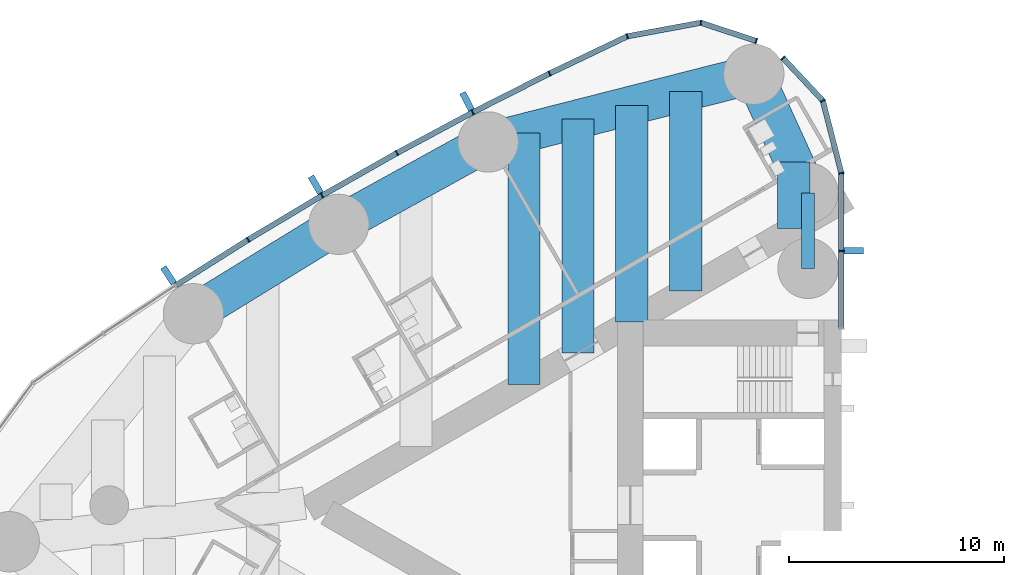
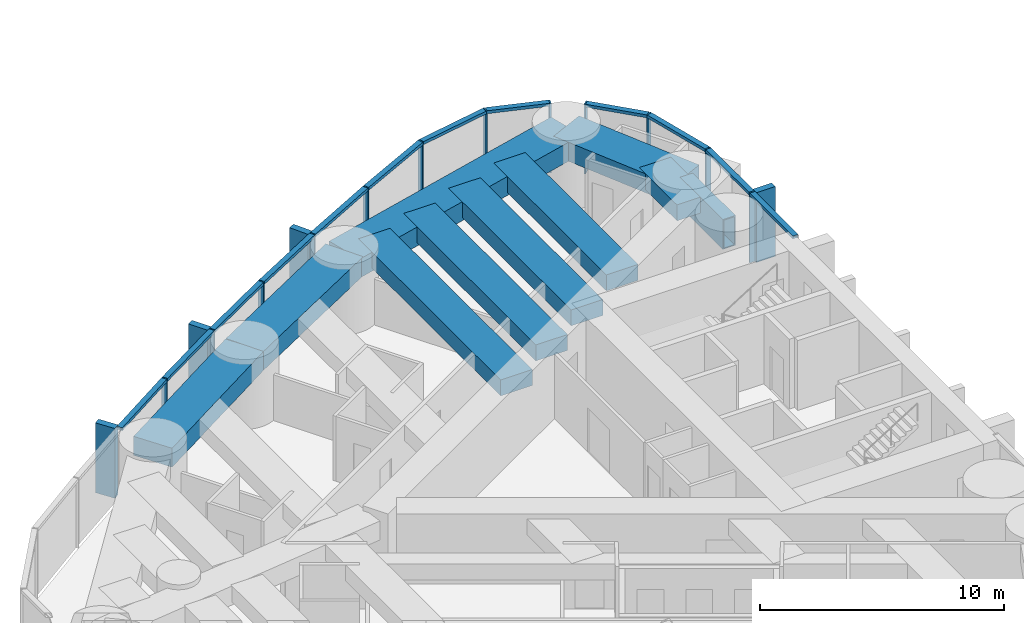
# One storey, part 5 of 19: 28 members, 10 beams, 2 elements without a shape of their own.
"""IFC4 building model written with IfcOpenShell, lengths in metres."""

from ifc_helpers import new_model, si_unit, direction, frame, origin, origin_2d, place, context, subcontext, project, spatial, rectangle, hollow_rectangle, extrude, material, material_profile, profile_set, type_object, element, aggregate, save


model = new_model("IFC4")

# Units and contexts
model_context = context("Model", 3, precision=1e-05, world=origin(), true_north=direction((0.0, 1.0)))
body_context = subcontext(model_context, "Body", "Model", "MODEL_VIEW")
ifc_project = project(units=[si_unit("LENGTHUNIT", "METRE"), si_unit("AREAUNIT", "SQUARE_METRE"), si_unit("VOLUMEUNIT", "CUBIC_METRE"), si_unit("PLANEANGLEUNIT", "RADIAN"), si_unit("MASSUNIT", "GRAM", prefix="KILO")], contexts=[model_context])

# Site, building, storey
site_placement = place(None, origin())
site = spatial("IfcSite", under=ifc_project, at=site_placement, CompositionType="ELEMENT")
building_placement = place(site_placement, origin())
building = spatial("IfcBuilding", under=site, at=building_placement, Name="Lancet Gate Hotel", CompositionType="ELEMENT")
storey_placement = place(building_placement, frame((0.0, 0.0, 177.300048828125)))
storey = spatial("IfcBuildingStorey", under=building, at=storey_placement, Name="L47", CompositionType="ELEMENT", Elevation=177.300048828125)

# Curtain wall, members
ifc_material_1 = material(Name="Aluminium curtain wall", Category="aluminium")
curtain_wall_type = type_object("IfcCurtainWallType", Name="Tower unitised curtain wall", PredefinedType="USERDEFINED", material=ifc_material_1)
curtain_wall_1_placement = place(storey_placement, origin())
curtain_wall_1 = element("IfcCurtainWall", 1, at=curtain_wall_1_placement, inside=storey, type_object=curtain_wall_type, Name="T1 L47 curtain wall 1", ObjectType="UNITISED CURTAIN WALL", PredefinedType="USERDEFINED")
ifc_material_2 = material(Name="Aluminium mullion", Category="aluminium")
ifc_material_profile_1 = material_profile(ifc_material_2, rectangle(XDim=0.06494140625, YDim=0.25, at=origin_2d()), Name="MULLION 65x250")
ifc_profile_set_1 = profile_set([ifc_material_profile_1], Name="Aluminium mullion")
member_type_1 = type_object("IfcMemberType", Name="Aluminium mullion 65x250", PredefinedType="MULLION", material=ifc_profile_set_1)
member_1_placement = place(storey_placement, frame((-27.5, 11.811767578125, 0.0), z_axis=(0.0, 0.0, 1.0), x_axis=(0.0, 1.0, 0.0)))
member_1 = element("IfcMember", 2, at=member_1_placement, type_object=member_type_1, Name="T1 L47 curtain wall 1 mullion 2", PredefinedType="MULLION", context=body_context, shape_type="SweptSolid", body=[
    extrude(rectangle(XDim=0.06494140625, YDim=0.25, at=origin_2d()), origin(), (0.0, 0.0, 1.0), 3.5),
])
member_2_placement = place(storey_placement, frame((-27.5, 15.42333984375, 0.0), z_axis=(0.0, 0.0, 1.0), x_axis=(-0.122467472845, 0.992472527627, 0.0)))
member_2 = element("IfcMember", 3, at=member_2_placement, type_object=member_type_1, Name="T1 L47 curtain wall 1 mullion 3", PredefinedType="MULLION", context=body_context, shape_type="SweptSolid", body=[
    extrude(rectangle(XDim=0.06494140625, YDim=0.25, at=origin_2d()), origin(), (0.0, 0.0, 1.0), 3.5),
])
member_3_placement = place(storey_placement, frame((-28.360595703125, 18.7861328125, 0.0), z_axis=(0.0, 0.0, 1.0), x_axis=(-0.452507601198, 0.891760545695, 0.0)))
member_3 = element("IfcMember", 4, at=member_3_placement, type_object=member_type_1, Name="T1 L47 curtain wall 1 mullion 4", PredefinedType="MULLION", context=body_context, shape_type="SweptSolid", body=[
    extrude(rectangle(XDim=0.06494140625, YDim=0.25, at=origin_2d()), origin(), (0.0, 0.0, 1.0), 3.5),
])
member_4_placement = place(storey_placement, frame((-30.210693359375, 20.765625, 0.0), z_axis=(0.0, 0.0, 1.0), x_axis=(-0.682844962172, 0.730563315282, 0.0)))
member_4 = element("IfcMember", 5, at=member_4_placement, type_object=member_type_1, Name="T1 L47 curtain wall 1 mullion 5", PredefinedType="MULLION", context=body_context, shape_type="SweptSolid", body=[
    extrude(rectangle(XDim=0.06494140625, YDim=0.25, at=origin_2d()), origin(), (0.0, 0.0, 1.0), 3.5),
])

curtain_wall_2_placement = place(storey_placement, origin())
curtain_wall_2 = element("IfcCurtainWall", 6, at=curtain_wall_2_placement, inside=storey, type_object=curtain_wall_type, Name="T1 L47 curtain wall 2", ObjectType="UNITISED CURTAIN WALL", PredefinedType="USERDEFINED")
member_5_placement = place(storey_placement, frame((-31.45263671875, 21.5595703125, 0.0), z_axis=(0.0, 0.0, 1.0), x_axis=(-0.949848055084, 0.312711803827, 0.0)))
member_5 = element("IfcMember", 7, at=member_5_placement, type_object=member_type_1, Name="T1 L47 curtain wall 2 mullion 1", PredefinedType="MULLION", context=body_context, shape_type="SweptSolid", body=[
    extrude(rectangle(XDim=0.06494140625, YDim=0.25, at=origin_2d()), origin(), (0.0, 0.0, 1.0), 3.5),
])
member_6_placement = place(storey_placement, frame((-34.02783203125, 22.407470703125, 0.0), z_axis=(0.0, 0.0, 1.0), x_axis=(-0.999350473622, 0.036036521361, 0.0)))
member_6 = element("IfcMember", 8, at=member_6_placement, type_object=member_type_1, Name="T1 L47 curtain wall 2 mullion 2", PredefinedType="MULLION", context=body_context, shape_type="SweptSolid", body=[
    extrude(rectangle(XDim=0.06494140625, YDim=0.25, at=origin_2d()), origin(), (0.0, 0.0, 1.0), 3.5),
])
member_7_placement = place(storey_placement, frame((-37.44091796875, 21.775634765625, 0.0), z_axis=(0.0, 0.0, 1.0), x_axis=(-0.948119321052, -0.317914694609, 0.0)))
member_7 = element("IfcMember", 9, at=member_7_placement, type_object=member_type_1, Name="T1 L47 curtain wall 2 mullion 3", PredefinedType="MULLION", context=body_context, shape_type="SweptSolid", body=[
    extrude(rectangle(XDim=0.06494140625, YDim=0.25, at=origin_2d()), origin(), (0.0, 0.0, 1.0), 3.5),
])
member_8_placement = place(storey_placement, frame((-41.0498046875, 20.052978515625, 0.0), z_axis=(0.0, 0.0, 1.0), x_axis=(-0.897324392142, -0.441371652088, 0.0)))
member_8 = element("IfcMember", 10, at=member_8_placement, type_object=member_type_1, Name="T1 L47 curtain wall 2 mullion 4", PredefinedType="MULLION", context=body_context, shape_type="SweptSolid", body=[
    extrude(rectangle(XDim=0.06494140625, YDim=0.25, at=origin_2d()), origin(), (0.0, 0.0, 1.0), 3.5),
])
member_9_placement = place(storey_placement, frame((-44.6171875, 18.245849609375, 0.0), z_axis=(0.0, 0.0, 1.0), x_axis=(-0.886694440064, -0.462355891019, 0.0)))
member_9 = element("IfcMember", 11, at=member_9_placement, type_object=member_type_1, Name="T1 L47 curtain wall 2 mullion 5", PredefinedType="MULLION", context=body_context, shape_type="SweptSolid", body=[
    extrude(rectangle(XDim=0.06494140625, YDim=0.25, at=origin_2d()), origin(), (0.0, 0.0, 1.0), 3.5),
])
member_10_placement = place(storey_placement, frame((-48.140869140625, 16.355224609375, 0.0), z_axis=(0.0, 0.0, 1.0), x_axis=(-0.87557384965, -0.483084292654, 0.0)))
member_10 = element("IfcMember", 12, at=member_10_placement, type_object=member_type_1, Name="T1 L47 curtain wall 2 mullion 6", PredefinedType="MULLION", context=body_context, shape_type="SweptSolid", body=[
    extrude(rectangle(XDim=0.06494140625, YDim=0.25, at=origin_2d()), origin(), (0.0, 0.0, 1.0), 3.5),
])
member_11_placement = place(storey_placement, frame((-51.619384765625, 14.38232421875, 0.0), z_axis=(0.0, 0.0, 1.0), x_axis=(-0.863968774311, -0.503545387245, 0.0)))
member_11 = element("IfcMember", 13, at=member_11_placement, type_object=member_type_1, Name="T1 L47 curtain wall 2 mullion 7", PredefinedType="MULLION", context=body_context, shape_type="SweptSolid", body=[
    extrude(rectangle(XDim=0.06494140625, YDim=0.25, at=origin_2d()), origin(), (0.0, 0.0, 1.0), 3.5),
])
member_12_placement = place(storey_placement, frame((-55.05029296875, 12.328369140625, 0.0), z_axis=(0.0, 0.0, 1.0), x_axis=(-0.851885635531, -0.52372785297, 0.0)))
member_12 = element("IfcMember", 14, at=member_12_placement, type_object=member_type_1, Name="T1 L47 curtain wall 2 mullion 8", PredefinedType="MULLION", context=body_context, shape_type="SweptSolid", body=[
    extrude(rectangle(XDim=0.06494140625, YDim=0.25, at=origin_2d()), origin(), (0.0, 0.0, 1.0), 3.5),
])

# Member
ifc_material_3 = material(Name="Aluminium transom", Category="aluminium")
ifc_material_profile_2 = material_profile(ifc_material_3, rectangle(XDim=0.25, YDim=0.14990234375, at=origin_2d()), Name="TRANSOM 250x150")
ifc_profile_set_2 = profile_set([ifc_material_profile_2], Name="Aluminium transom")
member_type_2 = type_object("IfcMemberType", Name="Aluminium transom 250x150", PredefinedType="USERDEFINED", material=ifc_profile_set_2)
member_13_placement = place(storey_placement, frame((-27.5, 8.232421875, 3.425048828125), z_axis=(0.0, 1.0, 0.0), x_axis=(-1.0, 0.0, 0.0)))
member_13 = element("IfcMember", 15, at=member_13_placement, type_object=member_type_2, Name="T1 L47 curtain wall 1 transom 1", ObjectType="TRANSOM", PredefinedType="USERDEFINED", context=body_context, shape_type="SweptSolid", body=[
    extrude(rectangle(XDim=0.25, YDim=0.14990234375, at=origin_2d()), origin(), (0.0, 0.0, 1.0), 3.546875),
])

member_14_placement = place(storey_placement, frame((-27.5, 11.84423828125, 3.425048828125), z_axis=(0.0, 1.0, 0.0), x_axis=(-1.0, 0.0, 0.0)))
member_14 = element("IfcMember", 16, at=member_14_placement, type_object=member_type_2, Name="T1 L47 curtain wall 1 transom 2", ObjectType="TRANSOM", PredefinedType="USERDEFINED", context=body_context, shape_type="SweptSolid", body=[
    extrude(rectangle(XDim=0.25, YDim=0.14990234375, at=origin_2d()), origin(), (0.0, 0.0, 1.0), 3.546630859375),
])

member_15_placement = place(storey_placement, frame((-27.508056640625, 15.454833984375, 3.425048828125), z_axis=(-0.247928683912, 0.968778286139, 0.0), x_axis=(-0.968778286139, -0.247928683912, 0.0)))
member_15 = element("IfcMember", 17, at=member_15_placement, type_object=member_type_2, Name="T1 L47 curtain wall 1 transom 3", ObjectType="TRANSOM", PredefinedType="USERDEFINED", context=body_context, shape_type="SweptSolid", body=[
    extrude(rectangle(XDim=0.25, YDim=0.14990234375, at=origin_2d()), origin(), (0.0, 0.0, 1.0), 3.40625),
])

member_16_placement = place(storey_placement, frame((-28.3828125, 18.809814453125, 3.425048828125), z_axis=(-0.682841037959, 0.730566983157, 0.0), x_axis=(-0.730566983157, -0.682841037959, 0.0)))
member_16 = element("IfcMember", 18, at=member_16_placement, type_object=member_type_2, Name="T1 L47 curtain wall 1 transom 4", ObjectType="TRANSOM", PredefinedType="USERDEFINED", context=body_context, shape_type="SweptSolid", body=[
    extrude(rectangle(XDim=0.25, YDim=0.14990234375, at=origin_2d()), origin(), (0.0, 0.0, 1.0), 2.644775390625),
])

member_17_placement = place(storey_placement, frame((-31.483642578125, 21.56982421875, 3.425048828125), z_axis=(-0.949857661259, 0.312682623993, 0.0), x_axis=(-0.312682623993, -0.949857661259, 0.0)))
member_17 = element("IfcMember", 19, at=member_17_placement, type_object=member_type_2, Name="T1 L47 curtain wall 2 transom 1", ObjectType="TRANSOM", PredefinedType="USERDEFINED", context=body_context, shape_type="SweptSolid", body=[
    extrude(rectangle(XDim=0.25, YDim=0.14990234375, at=origin_2d()), origin(), (0.0, 0.0, 1.0), 2.64599609375),
])

member_18_placement = place(storey_placement, frame((-34.059814453125, 22.401611328125, 3.425048828125), z_axis=(-0.983286757871, -0.182063592724, 0.0), x_axis=(0.182063592724, -0.983286757871, 0.0)))
member_18 = element("IfcMember", 20, at=member_18_placement, type_object=member_type_2, Name="T1 L47 curtain wall 2 transom 2", ObjectType="TRANSOM", PredefinedType="USERDEFINED", context=body_context, shape_type="SweptSolid", body=[
    extrude(rectangle(XDim=0.25, YDim=0.14990234375, at=origin_2d()), origin(), (0.0, 0.0, 1.0), 3.406005859375),
])

member_19_placement = place(storey_placement, frame((-37.47021484375, 21.761474609375, 3.425048828125), z_axis=(-0.902468975385, -0.430754858902, 0.0), x_axis=(0.430754858902, -0.902468975385, 0.0)))
member_19 = element("IfcMember", 21, at=member_19_placement, type_object=member_type_2, Name="T1 L47 curtain wall 2 transom 3", ObjectType="TRANSOM", PredefinedType="USERDEFINED", context=body_context, shape_type="SweptSolid", body=[
    extrude(rectangle(XDim=0.25, YDim=0.14990234375, at=origin_2d()), origin(), (0.0, 0.0, 1.0), 3.93408203125),
])

member_20_placement = place(storey_placement, frame((-41.078857421875, 20.0380859375, 3.425048828125), z_axis=(-0.892081477453, -0.451874581699, 0.0), x_axis=(0.451874581699, -0.892081477453, 0.0)))
member_20 = element("IfcMember", 22, at=member_20_placement, type_object=member_type_2, Name="T1 L47 curtain wall 2 transom 4", ObjectType="TRANSOM", PredefinedType="USERDEFINED", context=body_context, shape_type="SweptSolid", body=[
    extrude(rectangle(XDim=0.25, YDim=0.14990234375, at=origin_2d()), origin(), (0.0, 0.0, 1.0), 3.933837890625),
])

member_21_placement = place(storey_placement, frame((-44.645751953125, 18.23046875, 3.425048828125), z_axis=(-0.881185491994, -0.472770693571, 0.0), x_axis=(0.472770693571, -0.881185491994, 0.0)))
member_21 = element("IfcMember", 23, at=member_21_placement, type_object=member_type_2, Name="T1 L47 curtain wall 2 transom 5", ObjectType="TRANSOM", PredefinedType="USERDEFINED", context=body_context, shape_type="SweptSolid", body=[
    extrude(rectangle(XDim=0.25, YDim=0.14990234375, at=origin_2d()), origin(), (0.0, 0.0, 1.0), 3.93408203125),
])

member_22_placement = place(storey_placement, frame((-48.169189453125, 16.33935546875, 3.425048828125), z_axis=(-0.869819807367, -0.493369539709, 0.0), x_axis=(0.493369539709, -0.869819807367, 0.0)))
member_22 = element("IfcMember", 24, at=member_22_placement, type_object=member_type_2, Name="T1 L47 curtain wall 2 transom 6", ObjectType="TRANSOM", PredefinedType="USERDEFINED", context=body_context, shape_type="SweptSolid", body=[
    extrude(rectangle(XDim=0.25, YDim=0.14990234375, at=origin_2d()), origin(), (0.0, 0.0, 1.0), 3.93408203125),
])

member_23_placement = place(storey_placement, frame((-51.647216796875, 14.36572265625, 3.425048828125), z_axis=(-0.857985365092, -0.513674131419, 0.0), x_axis=(0.513674131419, -0.857985365092, 0.0)))
member_23 = element("IfcMember", 25, at=member_23_placement, type_object=member_type_2, Name="T1 L47 curtain wall 2 transom 7", ObjectType="TRANSOM", PredefinedType="USERDEFINED", context=body_context, shape_type="SweptSolid", body=[
    extrude(rectangle(XDim=0.25, YDim=0.14990234375, at=origin_2d()), origin(), (0.0, 0.0, 1.0), 3.933837890625),
])

member_24_placement = place(storey_placement, frame((-55.077880859375, 12.31103515625, 3.425048828125), z_axis=(-0.845671711095, -0.53370343549, 0.0), x_axis=(0.53370343549, -0.845671711095, 0.0)))
member_24 = element("IfcMember", 26, at=member_24_placement, type_object=member_type_2, Name="T1 L47 curtain wall 2 transom 8", ObjectType="TRANSOM", PredefinedType="USERDEFINED", context=body_context, shape_type="SweptSolid", body=[
    extrude(rectangle(XDim=0.25, YDim=0.14990234375, at=origin_2d()), origin(), (0.0, 0.0, 1.0), 3.93408203125),
])

# Beams
ifc_material_4 = material(Name="Concrete C50/60", Category="concrete")
ifc_material_profile_3 = material_profile(ifc_material_4, rectangle(XDim=1.800048828125, YDim=0.949951171875, at=origin_2d()), Name="RC 1800x950")
ifc_profile_set_3 = profile_set([ifc_material_profile_3], Name="Concrete C50/60")
beam_type_1 = type_object("IfcBeamType", Name="Edge beam RC 1800x950", PredefinedType="SPANDREL", material=ifc_profile_set_3)
beam_1_placement = place(storey_placement, frame((-31.5654296875, 20.015869140625, 2.77490234375), z_axis=(-0.969008414312, -0.247027717052, 0.0), x_axis=(0.247027717052, -0.969008414312, 0.0)))
element("IfcBeam", 27, at=beam_1_placement, inside=storey, type_object=beam_type_1, Name="T1 edge beam EB1 L47", PredefinedType="SPANDREL", context=body_context, shape_type="SweptSolid", body=[
    extrude(rectangle(XDim=1.800048828125, YDim=0.949951171875, at=origin_2d()), origin(), (0.0, 0.0, 1.0), 12.7294921875),
])
beam_2_placement = place(storey_placement, frame((-43.900390625, 16.871337890625, 2.77490234375), z_axis=(-0.875577684027, -0.483077342911, 0.0), x_axis=(0.483077342911, -0.875577684027, 0.0)))
element("IfcBeam", 28, at=beam_2_placement, inside=storey, type_object=beam_type_1, Name="T1 edge beam EB1 L47", PredefinedType="SPANDREL", context=body_context, shape_type="SweptSolid", body=[
    extrude(rectangle(XDim=1.800048828125, YDim=0.949951171875, at=origin_2d()), origin(), (0.0, 0.0, 1.0), 7.924560546875),
])
beam_3_placement = place(storey_placement, frame((-50.8388671875, 13.043212890625, 2.77490234375), z_axis=(-0.851892008043, -0.523717487423, 0.0), x_axis=(0.523717487423, -0.851892008043, 0.0)))
element("IfcBeam", 29, at=beam_3_placement, inside=storey, type_object=beam_type_1, Name="T1 edge beam EB1 L47", PredefinedType="SPANDREL", context=body_context, shape_type="SweptSolid", body=[
    extrude(rectangle(XDim=1.800048828125, YDim=0.949951171875, at=origin_2d()), origin(), (0.0, 0.0, 1.0), 7.92431640625),
])
beam_4_placement = place(storey_placement, frame((-31.5654296875, 20.015869140625, 2.77490234375), z_axis=(0.414919206993, -0.909858259109, 0.0), x_axis=(0.909858259109, 0.414919206993, 0.0)))
element("IfcBeam", 30, at=beam_4_placement, inside=storey, type_object=beam_type_1, Name="T1 edge beam EB1 L47", PredefinedType="SPANDREL", context=body_context, shape_type="SweptSolid", body=[
    extrude(rectangle(XDim=1.800048828125, YDim=0.949951171875, at=origin_2d()), origin(), (0.0, 0.0, 1.0), 6.062255859375),
])

# Member
ifc_material_5 = material(Name="Precast concrete C50/60", Category="concrete")
ifc_material_profile_4 = material_profile(ifc_material_5, rectangle(XDim=0.300048828125, YDim=0.89990234375, at=origin_2d()), Name="FIN 300x900")
ifc_profile_set_4 = profile_set([ifc_material_profile_4], Name="Precast concrete C50/60")
member_type_3 = type_object("IfcMemberType", Name="Exposed concrete fin 300x900", PredefinedType="USERDEFINED", material=ifc_profile_set_4)
member_25_placement = place(storey_placement, frame((-26.925048828125, 11.811767578125, 0.0), z_axis=(0.0, 0.0, 1.0), x_axis=(0.0, 1.0, 0.0)))
member_25 = element("IfcMember", 31, at=member_25_placement, type_object=member_type_3, Name="T1 L47 curtain wall 1 fin 2", ObjectType="FIN", PredefinedType="USERDEFINED", context=body_context, shape_type="SweptSolid", body=[
    extrude(rectangle(XDim=0.300048828125, YDim=0.89990234375, at=origin_2d()), origin(), (0.0, 0.0, 1.0), 3.5),
])

aggregate(curtain_wall_1, [member_1, member_25, member_2, member_3, member_4, member_13, member_14, member_15, member_16])

member_26_placement = place(storey_placement, frame((-44.883056640625, 18.755615234375, 0.0), z_axis=(0.0, 0.0, 1.0), x_axis=(-0.886694440064, -0.462355891019, 0.0)))
member_26 = element("IfcMember", 32, at=member_26_placement, type_object=member_type_3, Name="T1 L47 curtain wall 2 fin 5", ObjectType="FIN", PredefinedType="USERDEFINED", context=body_context, shape_type="SweptSolid", body=[
    extrude(rectangle(XDim=0.300048828125, YDim=0.89990234375, at=origin_2d()), origin(), (0.0, 0.0, 1.0), 3.5),
])

member_27_placement = place(storey_placement, frame((-51.908935546875, 14.879150390625, 0.0), z_axis=(0.0, 0.0, 1.0), x_axis=(-0.863968774311, -0.503545387245, 0.0)))
member_27 = element("IfcMember", 33, at=member_27_placement, type_object=member_type_3, Name="T1 L47 curtain wall 2 fin 7", ObjectType="FIN", PredefinedType="USERDEFINED", context=body_context, shape_type="SweptSolid", body=[
    extrude(rectangle(XDim=0.300048828125, YDim=0.89990234375, at=origin_2d()), origin(), (0.0, 0.0, 1.0), 3.5),
])

member_28_placement = place(storey_placement, frame((-58.74462890625, 10.6767578125, 0.0), z_axis=(0.0, 0.0, 1.0), x_axis=(-0.839331119324, -0.54362052218, 0.0)))
member_28 = element("IfcMember", 34, at=member_28_placement, type_object=member_type_3, Name="T1 L47 curtain wall 2 fin 9", ObjectType="FIN", PredefinedType="USERDEFINED", context=body_context, shape_type="SweptSolid", body=[
    extrude(rectangle(XDim=0.300048828125, YDim=0.89990234375, at=origin_2d()), origin(), (0.0, 0.0, 1.0), 3.5),
])

aggregate(curtain_wall_2, [member_5, member_6, member_7, member_8, member_9, member_26, member_10, member_11, member_27, member_12, member_28, member_17, member_18, member_19, member_20, member_21, member_22, member_23, member_24])

# Beams
ifc_material_6 = material(Name="Concrete C50/60", Category="concrete")
ifc_material_profile_5 = material_profile(ifc_material_6, rectangle(XDim=1.5, YDim=0.800048828125, at=origin_2d()), Name="RC 1500x800")
ifc_profile_set_5 = profile_set([ifc_material_profile_5], Name="Concrete C50/60")
beam_type_2 = type_object("IfcBeamType", Name="Floor beam RC 1500x800", PredefinedType="BEAM", material=ifc_profile_set_5)
beam_5_placement = place(storey_placement, frame((-29.706787109375, 15.940185546875, 2.849853515625), z_axis=(0.0, -1.0, 0.0), x_axis=(1.0, 0.0, 0.0)))
element("IfcBeam", 35, at=beam_5_placement, inside=storey, type_object=beam_type_2, Name="T1 floor beam F01S L47", PredefinedType="BEAM", context=body_context, shape_type="SweptSolid", body=[
    extrude(rectangle(XDim=1.5, YDim=0.800048828125, at=origin_2d()), origin(), (0.0, 0.0, 1.0), 3.087646484375),
])
beam_6_placement = place(storey_placement, frame((-34.720458984375, 19.211669921875, 2.849853515625), z_axis=(0.0, -1.0, 0.0), x_axis=(1.0, 0.0, 0.0)))
element("IfcBeam", 36, at=beam_6_placement, inside=storey, type_object=beam_type_2, Name="T1 floor beam F03S L47", PredefinedType="BEAM", context=body_context, shape_type="SweptSolid", body=[
    extrude(rectangle(XDim=1.5, YDim=0.800048828125, at=origin_2d()), origin(), (0.0, 0.0, 1.0), 9.253662109375),
])
beam_7_placement = place(storey_placement, frame((-37.227294921875, 18.572509765625, 2.849853515625), z_axis=(0.0, -1.0, 0.0), x_axis=(1.0, 0.0, 0.0)))
element("IfcBeam", 37, at=beam_7_placement, inside=storey, type_object=beam_type_2, Name="T1 floor beam F04S L47", PredefinedType="BEAM", context=body_context, shape_type="SweptSolid", body=[
    extrude(rectangle(XDim=1.5, YDim=0.800048828125, at=origin_2d()), origin(), (0.0, 0.0, 1.0), 10.061767578125),
])
beam_8_placement = place(storey_placement, frame((-39.734130859375, 17.93359375, 2.849853515625), z_axis=(0.0, -1.0, 0.0), x_axis=(1.0, 0.0, 0.0)))
element("IfcBeam", 38, at=beam_8_placement, inside=storey, type_object=beam_type_2, Name="T1 floor beam F06S L47", PredefinedType="BEAM", context=body_context, shape_type="SweptSolid", body=[
    extrude(rectangle(XDim=1.5, YDim=0.800048828125, at=origin_2d()), origin(), (0.0, 0.0, 1.0), 10.8701171875),
])
beam_9_placement = place(storey_placement, frame((-42.240966796875, 17.29443359375, 2.849853515625), z_axis=(0.0, -1.0, 0.0), x_axis=(1.0, 0.0, 0.0)))
element("IfcBeam", 39, at=beam_9_placement, inside=storey, type_object=beam_type_2, Name="T1 floor beam F07S L47", PredefinedType="BEAM", context=body_context, shape_type="SweptSolid", body=[
    extrude(rectangle(XDim=1.5, YDim=0.800048828125, at=origin_2d()), origin(), (0.0, 0.0, 1.0), 11.678466796875),
])
ifc_material_7 = material(Name="Steel S460QL", Category="steel")
ifc_material_profile_6 = material_profile(ifc_material_7, hollow_rectangle(XDim=0.60009765625, YDim=1.5, WallThickness=0.050048828125, at=origin_2d()), Name="BOX 1500x600x50")
ifc_profile_set_6 = profile_set([ifc_material_profile_6], Name="Steel S460QL")
beam_type_3 = type_object("IfcBeamType", Name="Inner-face link beam BOX 1500x600x50", PredefinedType="BEAM", material=ifc_profile_set_6)
beam_10_placement = place(storey_placement, frame((-29.050048828125, 14.5, 2.5), z_axis=(0.0, -1.0, 0.0), x_axis=(1.0, 0.0, 0.0)))
element("IfcBeam", 40, at=beam_10_placement, inside=storey, type_object=beam_type_3, Name="T1 inner-face link beam LK1 L47", PredefinedType="BEAM", context=body_context, shape_type="SweptSolid", body=[
    extrude(hollow_rectangle(XDim=0.60009765625, YDim=1.5, WallThickness=0.050048828125, at=origin_2d()), origin(), (0.0, 0.0, 1.0), 3.5),
])

save(model, "model.ifc")
